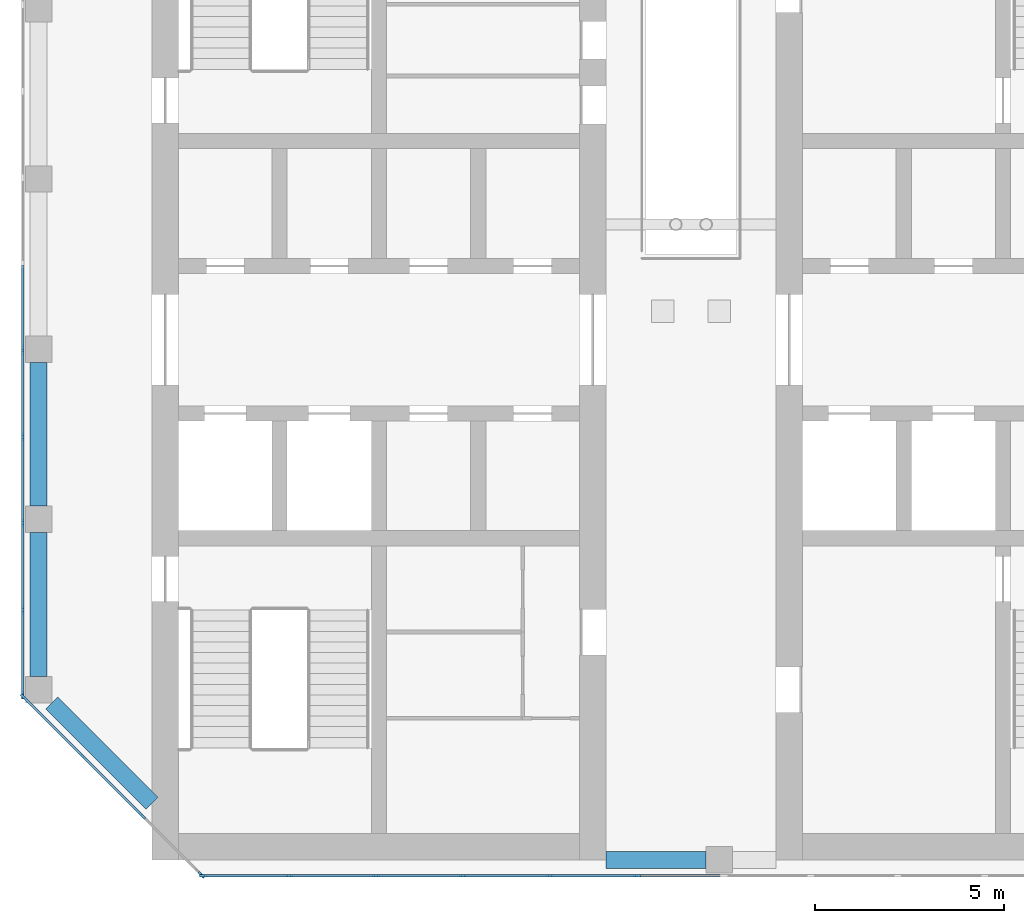
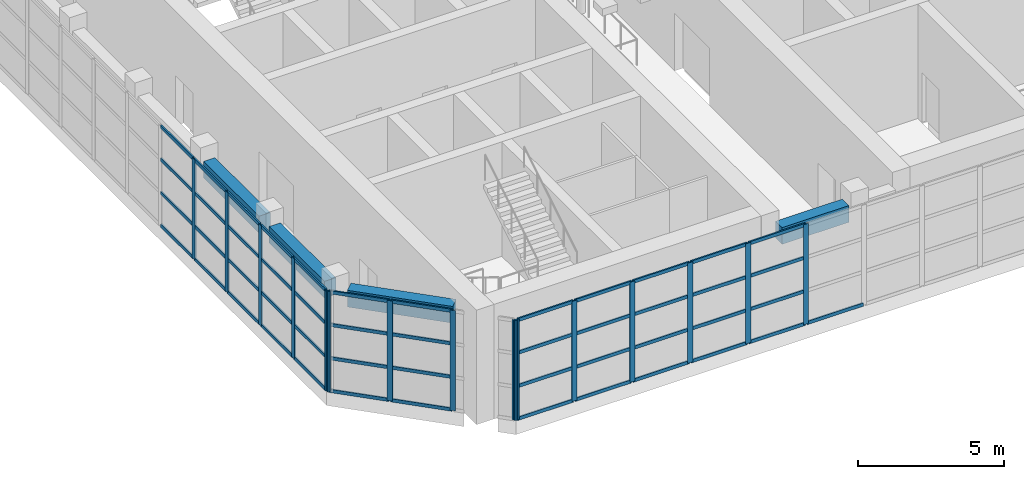
# One storey, part 2 of 13: 64 members, 4 beams, 3 elements without a shape of their own.
"""IFC4 building model written with IfcOpenShell, lengths in metres."""

from ifc_helpers import new_model, si_unit, direction, frame, origin, origin_2d, place, context, subcontext, project, spatial, rectangle, extrude, material, material_profile, profile_set, type_object, element, aggregate, save


model = new_model("IFC4")

# Units and contexts
model_context = context("Model", 3, precision=1e-05, world=origin(), true_north=direction((0.0, 1.0)))
body_context = subcontext(model_context, "Body", "Model", "MODEL_VIEW")
ifc_project = project(units=[si_unit("LENGTHUNIT", "METRE"), si_unit("AREAUNIT", "SQUARE_METRE"), si_unit("VOLUMEUNIT", "CUBIC_METRE"), si_unit("PLANEANGLEUNIT", "RADIAN"), si_unit("MASSUNIT", "GRAM", prefix="KILO")], contexts=[model_context])

# Site, building, storey
site_placement = place(None, origin())
site = spatial("IfcSite", under=ifc_project, at=site_placement, CompositionType="ELEMENT")
building_placement = place(site_placement, origin())
building = spatial("IfcBuilding", under=site, at=building_placement, Name="Corbel Stack Research Tower", CompositionType="ELEMENT")
storey_placement = place(building_placement, frame((0.0, 0.0, 316.60009765625)))
storey = spatial("IfcBuildingStorey", under=building, at=storey_placement, Name="L71", CompositionType="ELEMENT", Elevation=316.60009765625)

# Curtain wall, members
ifc_material_1 = material(Name="Aluminium and glass", Category="aluminium")
curtain_wall_type = type_object("IfcCurtainWallType", Name="CW4C damper hall glazing wall, corner", PredefinedType="NOTDEFINED", material=ifc_material_1)
curtain_wall_1_placement = place(storey_placement, origin())
curtain_wall_1 = element("IfcCurtainWall", 1, at=curtain_wall_1_placement, inside=storey, type_object=curtain_wall_type, Name="Damper hall curtain wall L71 1", PredefinedType="NOTDEFINED")
ifc_material_2 = material(Name="Aluminium, anodised", Category="aluminium")
ifc_material_profile_1 = material_profile(ifc_material_2, rectangle(XDim=0.06005859375, YDim=0.199951171875, at=origin_2d()), Name="CW4 mullion 60 x 200")
ifc_profile_set_1 = profile_set([ifc_material_profile_1], Name="Aluminium, anodised")
member_type_1 = type_object("IfcMemberType", Name="CW4 mullion 60 x 200", PredefinedType="MULLION", material=ifc_profile_set_1)
member_1_placement = place(storey_placement, frame((-9.1953125, -9.398681640625, 0.0), z_axis=(0.0, 0.0, 1.0), x_axis=(-0.707106781187, -0.707106781187, 0.0)))
member_1 = element("IfcMember", 2, at=member_1_placement, type_object=member_type_1, Name="CW4C mullion 1", PredefinedType="MULLION", context=body_context, shape_type="SweptSolid", body=[
    extrude(rectangle(XDim=0.06005859375, YDim=0.199951171875, at=origin_2d()), origin(), (0.0, 0.0, 1.0), 4.199951171875),
])
member_2_placement = place(storey_placement, frame((-10.756103515625, -7.837890625, 0.0), z_axis=(0.0, 0.0, 1.0), x_axis=(-0.707106781187, -0.707106781187, 0.0)))
member_2 = element("IfcMember", 3, at=member_2_placement, type_object=member_type_1, Name="CW4C mullion 2", PredefinedType="MULLION", context=body_context, shape_type="SweptSolid", body=[
    extrude(rectangle(XDim=0.06005859375, YDim=0.199951171875, at=origin_2d()), origin(), (0.0, 0.0, 1.0), 4.199951171875),
])
member_3_placement = place(storey_placement, frame((-12.337890625, -6.256103515625, 0.0), z_axis=(0.0, 0.0, 1.0), x_axis=(-0.707106781187, -0.707106781187, 0.0)))
member_3 = element("IfcMember", 4, at=member_3_placement, type_object=member_type_1, Name="CW4C mullion 3", PredefinedType="MULLION", context=body_context, shape_type="SweptSolid", body=[
    extrude(rectangle(XDim=0.06005859375, YDim=0.199951171875, at=origin_2d()), origin(), (0.0, 0.0, 1.0), 4.199951171875),
])
member_4_placement = place(storey_placement, frame((-13.898681640625, -4.6953125, 0.0), z_axis=(0.0, 0.0, 1.0), x_axis=(-0.707106781187, -0.707106781187, 0.0)))
member_4 = element("IfcMember", 5, at=member_4_placement, type_object=member_type_1, Name="CW4C mullion 4", PredefinedType="MULLION", context=body_context, shape_type="SweptSolid", body=[
    extrude(rectangle(XDim=0.06005859375, YDim=0.199951171875, at=origin_2d()), origin(), (0.0, 0.0, 1.0), 4.199951171875),
])

curtain_wall_2_placement = place(storey_placement, origin())
curtain_wall_2 = element("IfcCurtainWall", 6, at=curtain_wall_2_placement, inside=storey, type_object=curtain_wall_type, Name="Damper hall curtain wall L71 2", PredefinedType="NOTDEFINED")
member_5_placement = place(storey_placement, frame((-13.919921875, -4.64404296875, 0.0), z_axis=(0.0, 0.0, 1.0), x_axis=(-1.0, 0.0, 0.0)))
member_5 = element("IfcMember", 7, at=member_5_placement, type_object=member_type_1, Name="CW4C mullion 1", PredefinedType="MULLION", context=body_context, shape_type="SweptSolid", body=[
    extrude(rectangle(XDim=0.06005859375, YDim=0.199951171875, at=origin_2d()), origin(), (0.0, 0.0, 1.0), 4.199951171875),
])
member_6_placement = place(storey_placement, frame((-13.919921875, -2.38916015625, 0.0), z_axis=(0.0, 0.0, 1.0), x_axis=(-1.0, 0.0, 0.0)))
member_6 = element("IfcMember", 8, at=member_6_placement, type_object=member_type_1, Name="CW4C mullion 2", PredefinedType="MULLION", context=body_context, shape_type="SweptSolid", body=[
    extrude(rectangle(XDim=0.06005859375, YDim=0.199951171875, at=origin_2d()), origin(), (0.0, 0.0, 1.0), 4.199951171875),
])
member_7_placement = place(storey_placement, frame((-13.919921875, -0.1044921875, 0.0), z_axis=(0.0, 0.0, 1.0), x_axis=(-1.0, 0.0, 0.0)))
member_7 = element("IfcMember", 9, at=member_7_placement, type_object=member_type_1, Name="CW4C mullion 3", PredefinedType="MULLION", context=body_context, shape_type="SweptSolid", body=[
    extrude(rectangle(XDim=0.06005859375, YDim=0.199951171875, at=origin_2d()), origin(), (0.0, 0.0, 1.0), 4.199951171875),
])
member_8_placement = place(storey_placement, frame((-13.919921875, 2.180419921875, 0.0), z_axis=(0.0, 0.0, 1.0), x_axis=(-1.0, 0.0, 0.0)))
member_8 = element("IfcMember", 10, at=member_8_placement, type_object=member_type_1, Name="CW4C mullion 4", PredefinedType="MULLION", context=body_context, shape_type="SweptSolid", body=[
    extrude(rectangle(XDim=0.06005859375, YDim=0.199951171875, at=origin_2d()), origin(), (0.0, 0.0, 1.0), 4.199951171875),
])
member_9_placement = place(storey_placement, frame((-13.919921875, 4.465087890625, 0.0), z_axis=(0.0, 0.0, 1.0), x_axis=(-1.0, 0.0, 0.0)))
member_9 = element("IfcMember", 11, at=member_9_placement, type_object=member_type_1, Name="CW4C mullion 5", PredefinedType="MULLION", context=body_context, shape_type="SweptSolid", body=[
    extrude(rectangle(XDim=0.06005859375, YDim=0.199951171875, at=origin_2d()), origin(), (0.0, 0.0, 1.0), 4.199951171875),
])

curtain_wall_3_placement = place(storey_placement, origin())
curtain_wall_3 = element("IfcCurtainWall", 12, at=curtain_wall_3_placement, inside=storey, type_object=curtain_wall_type, Name="Damper hall curtain wall L71 7", PredefinedType="NOTDEFINED")
member_10_placement = place(storey_placement, frame((2.323486328125, -9.419921875, 0.0), z_axis=(0.0, 0.0, 1.0), x_axis=(0.0, -1.0, 0.0)))
member_10 = element("IfcMember", 13, at=member_10_placement, type_object=member_type_1, Name="CW4C mullion 8", PredefinedType="MULLION", context=body_context, shape_type="SweptSolid", body=[
    extrude(rectangle(XDim=0.06005859375, YDim=0.199951171875, at=origin_2d()), origin(), (0.0, 0.0, 1.0), 4.199951171875),
])
member_11_placement = place(storey_placement, frame((0.02392578125, -9.419921875, 0.0), z_axis=(0.0, 0.0, 1.0), x_axis=(0.0, -1.0, 0.0)))
member_11 = element("IfcMember", 14, at=member_11_placement, type_object=member_type_1, Name="CW4C mullion 9", PredefinedType="MULLION", context=body_context, shape_type="SweptSolid", body=[
    extrude(rectangle(XDim=0.06005859375, YDim=0.199951171875, at=origin_2d()), origin(), (0.0, 0.0, 1.0), 4.199951171875),
])
member_12_placement = place(storey_placement, frame((-2.275390625, -9.419921875, 0.0), z_axis=(0.0, 0.0, 1.0), x_axis=(0.0, -1.0, 0.0)))
member_12 = element("IfcMember", 15, at=member_12_placement, type_object=member_type_1, Name="CW4C mullion 10", PredefinedType="MULLION", context=body_context, shape_type="SweptSolid", body=[
    extrude(rectangle(XDim=0.06005859375, YDim=0.199951171875, at=origin_2d()), origin(), (0.0, 0.0, 1.0), 4.199951171875),
])
member_13_placement = place(storey_placement, frame((-4.574951171875, -9.419921875, 0.0), z_axis=(0.0, 0.0, 1.0), x_axis=(0.0, -1.0, 0.0)))
member_13 = element("IfcMember", 16, at=member_13_placement, type_object=member_type_1, Name="CW4C mullion 11", PredefinedType="MULLION", context=body_context, shape_type="SweptSolid", body=[
    extrude(rectangle(XDim=0.06005859375, YDim=0.199951171875, at=origin_2d()), origin(), (0.0, 0.0, 1.0), 4.199951171875),
])
member_14_placement = place(storey_placement, frame((-6.87451171875, -9.419921875, 0.0), z_axis=(0.0, 0.0, 1.0), x_axis=(0.0, -1.0, 0.0)))
member_14 = element("IfcMember", 17, at=member_14_placement, type_object=member_type_1, Name="CW4C mullion 12", PredefinedType="MULLION", context=body_context, shape_type="SweptSolid", body=[
    extrude(rectangle(XDim=0.06005859375, YDim=0.199951171875, at=origin_2d()), origin(), (0.0, 0.0, 1.0), 4.199951171875),
])
member_15_placement = place(storey_placement, frame((-9.14404296875, -9.419921875, 0.0), z_axis=(0.0, 0.0, 1.0), x_axis=(0.0, -1.0, 0.0)))
member_15 = element("IfcMember", 18, at=member_15_placement, type_object=member_type_1, Name="CW4C mullion 13", PredefinedType="MULLION", context=body_context, shape_type="SweptSolid", body=[
    extrude(rectangle(XDim=0.06005859375, YDim=0.199951171875, at=origin_2d()), origin(), (0.0, 0.0, 1.0), 4.199951171875),
])

# Member
ifc_material_3 = material(Name="Aluminium, anodised", Category="aluminium")
ifc_material_profile_2 = material_profile(ifc_material_3, rectangle(XDim=0.06005859375, YDim=0.139892578125, at=origin_2d()), Name="CW4 transom 60 x 140")
ifc_profile_set_2 = profile_set([ifc_material_profile_2], Name="Aluminium, anodised")
member_type_2 = type_object("IfcMemberType", Name="CW4 transom 60 x 140", PredefinedType="USERDEFINED", material=ifc_profile_set_2)
member_16_placement = place(storey_placement, frame((-10.777099609375, -7.81689453125, 0.02978515625), z_axis=(-0.707106781187, 0.707106781187, 0.0), x_axis=(-0.707106781187, -0.707106781187, 0.0)))
member_16 = element("IfcMember", 19, at=member_16_placement, type_object=member_type_2, Name="CW4C transom 2.1", ObjectType="TRANSOM", PredefinedType="USERDEFINED", context=body_context, shape_type="SweptSolid", body=[
    extrude(rectangle(XDim=0.06005859375, YDim=0.139892578125, at=origin_2d()), origin(), (0.0, 0.0, 1.0), 2.177490234375),
])

member_17_placement = place(storey_placement, frame((-10.777099609375, -7.81689453125, 1.39990234375), z_axis=(-0.707106781187, 0.707106781187, 0.0), x_axis=(-0.707106781187, -0.707106781187, 0.0)))
member_17 = element("IfcMember", 20, at=member_17_placement, type_object=member_type_2, Name="CW4C transom 2.2", ObjectType="TRANSOM", PredefinedType="USERDEFINED", context=body_context, shape_type="SweptSolid", body=[
    extrude(rectangle(XDim=0.06005859375, YDim=0.139892578125, at=origin_2d()), origin(), (0.0, 0.0, 1.0), 2.177490234375),
])

member_18_placement = place(storey_placement, frame((-10.777099609375, -7.81689453125, 2.7998046875), z_axis=(-0.707106781187, 0.707106781187, 0.0), x_axis=(-0.707106781187, -0.707106781187, 0.0)))
member_18 = element("IfcMember", 21, at=member_18_placement, type_object=member_type_2, Name="CW4C transom 2.3", ObjectType="TRANSOM", PredefinedType="USERDEFINED", context=body_context, shape_type="SweptSolid", body=[
    extrude(rectangle(XDim=0.06005859375, YDim=0.139892578125, at=origin_2d()), origin(), (0.0, 0.0, 1.0), 2.177490234375),
])

member_19_placement = place(storey_placement, frame((-10.777099609375, -7.81689453125, 4.169921875), z_axis=(-0.707106781187, 0.707106781187, 0.0), x_axis=(-0.707106781187, -0.707106781187, 0.0)))
member_19 = element("IfcMember", 22, at=member_19_placement, type_object=member_type_2, Name="CW4C transom 2.4", ObjectType="TRANSOM", PredefinedType="USERDEFINED", context=body_context, shape_type="SweptSolid", body=[
    extrude(rectangle(XDim=0.06005859375, YDim=0.139892578125, at=origin_2d()), origin(), (0.0, 0.0, 1.0), 2.177490234375),
])

member_20_placement = place(storey_placement, frame((-12.359130859375, -6.23486328125, 0.02978515625), z_axis=(-0.707106781187, 0.707106781187, 0.0), x_axis=(-0.707106781187, -0.707106781187, 0.0)))
member_20 = element("IfcMember", 23, at=member_20_placement, type_object=member_type_2, Name="CW4C transom 3.1", ObjectType="TRANSOM", PredefinedType="USERDEFINED", context=body_context, shape_type="SweptSolid", body=[
    extrude(rectangle(XDim=0.06005859375, YDim=0.139892578125, at=origin_2d()), origin(), (0.0, 0.0, 1.0), 2.1474609375),
])

member_21_placement = place(storey_placement, frame((-12.359130859375, -6.23486328125, 1.39990234375), z_axis=(-0.707106781187, 0.707106781187, 0.0), x_axis=(-0.707106781187, -0.707106781187, 0.0)))
member_21 = element("IfcMember", 24, at=member_21_placement, type_object=member_type_2, Name="CW4C transom 3.2", ObjectType="TRANSOM", PredefinedType="USERDEFINED", context=body_context, shape_type="SweptSolid", body=[
    extrude(rectangle(XDim=0.06005859375, YDim=0.139892578125, at=origin_2d()), origin(), (0.0, 0.0, 1.0), 2.1474609375),
])

member_22_placement = place(storey_placement, frame((-12.359130859375, -6.23486328125, 2.7998046875), z_axis=(-0.707106781187, 0.707106781187, 0.0), x_axis=(-0.707106781187, -0.707106781187, 0.0)))
member_22 = element("IfcMember", 25, at=member_22_placement, type_object=member_type_2, Name="CW4C transom 3.3", ObjectType="TRANSOM", PredefinedType="USERDEFINED", context=body_context, shape_type="SweptSolid", body=[
    extrude(rectangle(XDim=0.06005859375, YDim=0.139892578125, at=origin_2d()), origin(), (0.0, 0.0, 1.0), 2.1474609375),
])

member_23_placement = place(storey_placement, frame((-12.359130859375, -6.23486328125, 4.169921875), z_axis=(-0.707106781187, 0.707106781187, 0.0), x_axis=(-0.707106781187, -0.707106781187, 0.0)))
member_23 = element("IfcMember", 26, at=member_23_placement, type_object=member_type_2, Name="CW4C transom 3.4", ObjectType="TRANSOM", PredefinedType="USERDEFINED", context=body_context, shape_type="SweptSolid", body=[
    extrude(rectangle(XDim=0.06005859375, YDim=0.139892578125, at=origin_2d()), origin(), (0.0, 0.0, 1.0), 2.1474609375),
])

aggregate(curtain_wall_1, [member_1, member_2, member_3, member_4, member_16, member_17, member_18, member_19, member_20, member_21, member_22, member_23])

member_24_placement = place(storey_placement, frame((-13.919921875, -4.614013671875, 0.02978515625), z_axis=(0.0, 1.0, 0.0), x_axis=(-1.0, 0.0, 0.0)))
member_24 = element("IfcMember", 27, at=member_24_placement, type_object=member_type_2, Name="CW4C transom 1.1", ObjectType="TRANSOM", PredefinedType="USERDEFINED", context=body_context, shape_type="SweptSolid", body=[
    extrude(rectangle(XDim=0.06005859375, YDim=0.139892578125, at=origin_2d()), origin(), (0.0, 0.0, 1.0), 2.19482421875),
])

member_25_placement = place(storey_placement, frame((-13.919921875, -4.614013671875, 1.39990234375), z_axis=(0.0, 1.0, 0.0), x_axis=(-1.0, 0.0, 0.0)))
member_25 = element("IfcMember", 28, at=member_25_placement, type_object=member_type_2, Name="CW4C transom 1.2", ObjectType="TRANSOM", PredefinedType="USERDEFINED", context=body_context, shape_type="SweptSolid", body=[
    extrude(rectangle(XDim=0.06005859375, YDim=0.139892578125, at=origin_2d()), origin(), (0.0, 0.0, 1.0), 2.19482421875),
])

member_26_placement = place(storey_placement, frame((-13.919921875, -4.614013671875, 2.7998046875), z_axis=(0.0, 1.0, 0.0), x_axis=(-1.0, 0.0, 0.0)))
member_26 = element("IfcMember", 29, at=member_26_placement, type_object=member_type_2, Name="CW4C transom 1.3", ObjectType="TRANSOM", PredefinedType="USERDEFINED", context=body_context, shape_type="SweptSolid", body=[
    extrude(rectangle(XDim=0.06005859375, YDim=0.139892578125, at=origin_2d()), origin(), (0.0, 0.0, 1.0), 2.19482421875),
])

member_27_placement = place(storey_placement, frame((-13.919921875, -4.614013671875, 4.169921875), z_axis=(0.0, 1.0, 0.0), x_axis=(-1.0, 0.0, 0.0)))
member_27 = element("IfcMember", 30, at=member_27_placement, type_object=member_type_2, Name="CW4C transom 1.4", ObjectType="TRANSOM", PredefinedType="USERDEFINED", context=body_context, shape_type="SweptSolid", body=[
    extrude(rectangle(XDim=0.06005859375, YDim=0.139892578125, at=origin_2d()), origin(), (0.0, 0.0, 1.0), 2.19482421875),
])

member_28_placement = place(storey_placement, frame((-13.919921875, -2.359130859375, 0.02978515625), z_axis=(0.0, 1.0, 0.0), x_axis=(-1.0, 0.0, 0.0)))
member_28 = element("IfcMember", 31, at=member_28_placement, type_object=member_type_2, Name="CW4C transom 2.1", ObjectType="TRANSOM", PredefinedType="USERDEFINED", context=body_context, shape_type="SweptSolid", body=[
    extrude(rectangle(XDim=0.06005859375, YDim=0.139892578125, at=origin_2d()), origin(), (0.0, 0.0, 1.0), 2.224609375),
])

member_29_placement = place(storey_placement, frame((-13.919921875, -2.359130859375, 1.39990234375), z_axis=(0.0, 1.0, 0.0), x_axis=(-1.0, 0.0, 0.0)))
member_29 = element("IfcMember", 32, at=member_29_placement, type_object=member_type_2, Name="CW4C transom 2.2", ObjectType="TRANSOM", PredefinedType="USERDEFINED", context=body_context, shape_type="SweptSolid", body=[
    extrude(rectangle(XDim=0.06005859375, YDim=0.139892578125, at=origin_2d()), origin(), (0.0, 0.0, 1.0), 2.224609375),
])

member_30_placement = place(storey_placement, frame((-13.919921875, -2.359130859375, 2.7998046875), z_axis=(0.0, 1.0, 0.0), x_axis=(-1.0, 0.0, 0.0)))
member_30 = element("IfcMember", 33, at=member_30_placement, type_object=member_type_2, Name="CW4C transom 2.3", ObjectType="TRANSOM", PredefinedType="USERDEFINED", context=body_context, shape_type="SweptSolid", body=[
    extrude(rectangle(XDim=0.06005859375, YDim=0.139892578125, at=origin_2d()), origin(), (0.0, 0.0, 1.0), 2.224609375),
])

member_31_placement = place(storey_placement, frame((-13.919921875, -2.359130859375, 4.169921875), z_axis=(0.0, 1.0, 0.0), x_axis=(-1.0, 0.0, 0.0)))
member_31 = element("IfcMember", 34, at=member_31_placement, type_object=member_type_2, Name="CW4C transom 2.4", ObjectType="TRANSOM", PredefinedType="USERDEFINED", context=body_context, shape_type="SweptSolid", body=[
    extrude(rectangle(XDim=0.06005859375, YDim=0.139892578125, at=origin_2d()), origin(), (0.0, 0.0, 1.0), 2.224609375),
])

member_32_placement = place(storey_placement, frame((-13.919921875, -0.074462890625, 0.02978515625), z_axis=(0.0, 1.0, 0.0), x_axis=(-1.0, 0.0, 0.0)))
member_32 = element("IfcMember", 35, at=member_32_placement, type_object=member_type_2, Name="CW4C transom 3.1", ObjectType="TRANSOM", PredefinedType="USERDEFINED", context=body_context, shape_type="SweptSolid", body=[
    extrude(rectangle(XDim=0.06005859375, YDim=0.139892578125, at=origin_2d()), origin(), (0.0, 0.0, 1.0), 2.224853515625),
])

member_33_placement = place(storey_placement, frame((-13.919921875, -0.074462890625, 1.39990234375), z_axis=(0.0, 1.0, 0.0), x_axis=(-1.0, 0.0, 0.0)))
member_33 = element("IfcMember", 36, at=member_33_placement, type_object=member_type_2, Name="CW4C transom 3.2", ObjectType="TRANSOM", PredefinedType="USERDEFINED", context=body_context, shape_type="SweptSolid", body=[
    extrude(rectangle(XDim=0.06005859375, YDim=0.139892578125, at=origin_2d()), origin(), (0.0, 0.0, 1.0), 2.224853515625),
])

member_34_placement = place(storey_placement, frame((-13.919921875, -0.074462890625, 2.7998046875), z_axis=(0.0, 1.0, 0.0), x_axis=(-1.0, 0.0, 0.0)))
member_34 = element("IfcMember", 37, at=member_34_placement, type_object=member_type_2, Name="CW4C transom 3.3", ObjectType="TRANSOM", PredefinedType="USERDEFINED", context=body_context, shape_type="SweptSolid", body=[
    extrude(rectangle(XDim=0.06005859375, YDim=0.139892578125, at=origin_2d()), origin(), (0.0, 0.0, 1.0), 2.224853515625),
])

member_35_placement = place(storey_placement, frame((-13.919921875, -0.074462890625, 4.169921875), z_axis=(0.0, 1.0, 0.0), x_axis=(-1.0, 0.0, 0.0)))
member_35 = element("IfcMember", 38, at=member_35_placement, type_object=member_type_2, Name="CW4C transom 3.4", ObjectType="TRANSOM", PredefinedType="USERDEFINED", context=body_context, shape_type="SweptSolid", body=[
    extrude(rectangle(XDim=0.06005859375, YDim=0.139892578125, at=origin_2d()), origin(), (0.0, 0.0, 1.0), 2.224853515625),
])

member_36_placement = place(storey_placement, frame((-13.919921875, 2.21044921875, 0.02978515625), z_axis=(0.0, 1.0, 0.0), x_axis=(-1.0, 0.0, 0.0)))
member_36 = element("IfcMember", 39, at=member_36_placement, type_object=member_type_2, Name="CW4C transom 4.1", ObjectType="TRANSOM", PredefinedType="USERDEFINED", context=body_context, shape_type="SweptSolid", body=[
    extrude(rectangle(XDim=0.06005859375, YDim=0.139892578125, at=origin_2d()), origin(), (0.0, 0.0, 1.0), 2.224853515625),
])

member_37_placement = place(storey_placement, frame((-13.919921875, 2.21044921875, 1.39990234375), z_axis=(0.0, 1.0, 0.0), x_axis=(-1.0, 0.0, 0.0)))
member_37 = element("IfcMember", 40, at=member_37_placement, type_object=member_type_2, Name="CW4C transom 4.2", ObjectType="TRANSOM", PredefinedType="USERDEFINED", context=body_context, shape_type="SweptSolid", body=[
    extrude(rectangle(XDim=0.06005859375, YDim=0.139892578125, at=origin_2d()), origin(), (0.0, 0.0, 1.0), 2.224853515625),
])

member_38_placement = place(storey_placement, frame((-13.919921875, 2.21044921875, 2.7998046875), z_axis=(0.0, 1.0, 0.0), x_axis=(-1.0, 0.0, 0.0)))
member_38 = element("IfcMember", 41, at=member_38_placement, type_object=member_type_2, Name="CW4C transom 4.3", ObjectType="TRANSOM", PredefinedType="USERDEFINED", context=body_context, shape_type="SweptSolid", body=[
    extrude(rectangle(XDim=0.06005859375, YDim=0.139892578125, at=origin_2d()), origin(), (0.0, 0.0, 1.0), 2.224853515625),
])

member_39_placement = place(storey_placement, frame((-13.919921875, 2.21044921875, 4.169921875), z_axis=(0.0, 1.0, 0.0), x_axis=(-1.0, 0.0, 0.0)))
member_39 = element("IfcMember", 42, at=member_39_placement, type_object=member_type_2, Name="CW4C transom 4.4", ObjectType="TRANSOM", PredefinedType="USERDEFINED", context=body_context, shape_type="SweptSolid", body=[
    extrude(rectangle(XDim=0.06005859375, YDim=0.139892578125, at=origin_2d()), origin(), (0.0, 0.0, 1.0), 2.224853515625),
])

member_40_placement = place(storey_placement, frame((-13.919921875, 4.4951171875, 0.02978515625), z_axis=(0.0, 1.0, 0.0), x_axis=(-1.0, 0.0, 0.0)))
member_40 = element("IfcMember", 43, at=member_40_placement, type_object=member_type_2, Name="CW4C transom 5.1", ObjectType="TRANSOM", PredefinedType="USERDEFINED", context=body_context, shape_type="SweptSolid", body=[
    extrude(rectangle(XDim=0.06005859375, YDim=0.139892578125, at=origin_2d()), origin(), (0.0, 0.0, 1.0), 2.224853515625),
])

member_41_placement = place(storey_placement, frame((-13.919921875, 4.4951171875, 1.39990234375), z_axis=(0.0, 1.0, 0.0), x_axis=(-1.0, 0.0, 0.0)))
member_41 = element("IfcMember", 44, at=member_41_placement, type_object=member_type_2, Name="CW4C transom 5.2", ObjectType="TRANSOM", PredefinedType="USERDEFINED", context=body_context, shape_type="SweptSolid", body=[
    extrude(rectangle(XDim=0.06005859375, YDim=0.139892578125, at=origin_2d()), origin(), (0.0, 0.0, 1.0), 2.224853515625),
])

member_42_placement = place(storey_placement, frame((-13.919921875, 4.4951171875, 2.7998046875), z_axis=(0.0, 1.0, 0.0), x_axis=(-1.0, 0.0, 0.0)))
member_42 = element("IfcMember", 45, at=member_42_placement, type_object=member_type_2, Name="CW4C transom 5.3", ObjectType="TRANSOM", PredefinedType="USERDEFINED", context=body_context, shape_type="SweptSolid", body=[
    extrude(rectangle(XDim=0.06005859375, YDim=0.139892578125, at=origin_2d()), origin(), (0.0, 0.0, 1.0), 2.224853515625),
])

member_43_placement = place(storey_placement, frame((-13.919921875, 4.4951171875, 4.169921875), z_axis=(0.0, 1.0, 0.0), x_axis=(-1.0, 0.0, 0.0)))
member_43 = element("IfcMember", 46, at=member_43_placement, type_object=member_type_2, Name="CW4C transom 5.4", ObjectType="TRANSOM", PredefinedType="USERDEFINED", context=body_context, shape_type="SweptSolid", body=[
    extrude(rectangle(XDim=0.06005859375, YDim=0.139892578125, at=origin_2d()), origin(), (0.0, 0.0, 1.0), 2.224853515625),
])

aggregate(curtain_wall_2, [member_5, member_6, member_7, member_8, member_9, member_24, member_25, member_26, member_27, member_28, member_29, member_30, member_31, member_32, member_33, member_34, member_35, member_36, member_37, member_38, member_39, member_40, member_41, member_42, member_43])

member_44_placement = place(storey_placement, frame((4.593017578125, -9.419921875, 0.02978515625), z_axis=(-1.0, 0.0, 0.0), x_axis=(0.0, -1.0, 0.0)))
member_44 = element("IfcMember", 47, at=member_44_placement, type_object=member_type_2, Name="CW4C transom 7.1", ObjectType="TRANSOM", PredefinedType="USERDEFINED", context=body_context, shape_type="SweptSolid", body=[
    extrude(rectangle(XDim=0.06005859375, YDim=0.139892578125, at=origin_2d()), origin(), (0.0, 0.0, 1.0), 2.239501953125),
])

member_45_placement = place(storey_placement, frame((2.29345703125, -9.419921875, 0.02978515625), z_axis=(-1.0, 0.0, 0.0), x_axis=(0.0, -1.0, 0.0)))
member_45 = element("IfcMember", 48, at=member_45_placement, type_object=member_type_2, Name="CW4C transom 8.1", ObjectType="TRANSOM", PredefinedType="USERDEFINED", context=body_context, shape_type="SweptSolid", body=[
    extrude(rectangle(XDim=0.06005859375, YDim=0.139892578125, at=origin_2d()), origin(), (0.0, 0.0, 1.0), 2.239501953125),
])

member_46_placement = place(storey_placement, frame((2.29345703125, -9.419921875, 1.39990234375), z_axis=(-1.0, 0.0, 0.0), x_axis=(0.0, -1.0, 0.0)))
member_46 = element("IfcMember", 49, at=member_46_placement, type_object=member_type_2, Name="CW4C transom 8.2", ObjectType="TRANSOM", PredefinedType="USERDEFINED", context=body_context, shape_type="SweptSolid", body=[
    extrude(rectangle(XDim=0.06005859375, YDim=0.139892578125, at=origin_2d()), origin(), (0.0, 0.0, 1.0), 2.239501953125),
])

member_47_placement = place(storey_placement, frame((2.29345703125, -9.419921875, 2.7998046875), z_axis=(-1.0, 0.0, 0.0), x_axis=(0.0, -1.0, 0.0)))
member_47 = element("IfcMember", 50, at=member_47_placement, type_object=member_type_2, Name="CW4C transom 8.3", ObjectType="TRANSOM", PredefinedType="USERDEFINED", context=body_context, shape_type="SweptSolid", body=[
    extrude(rectangle(XDim=0.06005859375, YDim=0.139892578125, at=origin_2d()), origin(), (0.0, 0.0, 1.0), 2.239501953125),
])

member_48_placement = place(storey_placement, frame((2.29345703125, -9.419921875, 4.169921875), z_axis=(-1.0, 0.0, 0.0), x_axis=(0.0, -1.0, 0.0)))
member_48 = element("IfcMember", 51, at=member_48_placement, type_object=member_type_2, Name="CW4C transom 8.4", ObjectType="TRANSOM", PredefinedType="USERDEFINED", context=body_context, shape_type="SweptSolid", body=[
    extrude(rectangle(XDim=0.06005859375, YDim=0.139892578125, at=origin_2d()), origin(), (0.0, 0.0, 1.0), 2.239501953125),
])

member_49_placement = place(storey_placement, frame((-0.006103515625, -9.419921875, 0.02978515625), z_axis=(-1.0, 0.0, 0.0), x_axis=(0.0, -1.0, 0.0)))
member_49 = element("IfcMember", 52, at=member_49_placement, type_object=member_type_2, Name="CW4C transom 9.1", ObjectType="TRANSOM", PredefinedType="USERDEFINED", context=body_context, shape_type="SweptSolid", body=[
    extrude(rectangle(XDim=0.06005859375, YDim=0.139892578125, at=origin_2d()), origin(), (0.0, 0.0, 1.0), 2.239501953125),
])

member_50_placement = place(storey_placement, frame((-0.006103515625, -9.419921875, 1.39990234375), z_axis=(-1.0, 0.0, 0.0), x_axis=(0.0, -1.0, 0.0)))
member_50 = element("IfcMember", 53, at=member_50_placement, type_object=member_type_2, Name="CW4C transom 9.2", ObjectType="TRANSOM", PredefinedType="USERDEFINED", context=body_context, shape_type="SweptSolid", body=[
    extrude(rectangle(XDim=0.06005859375, YDim=0.139892578125, at=origin_2d()), origin(), (0.0, 0.0, 1.0), 2.239501953125),
])

member_51_placement = place(storey_placement, frame((-0.006103515625, -9.419921875, 2.7998046875), z_axis=(-1.0, 0.0, 0.0), x_axis=(0.0, -1.0, 0.0)))
member_51 = element("IfcMember", 54, at=member_51_placement, type_object=member_type_2, Name="CW4C transom 9.3", ObjectType="TRANSOM", PredefinedType="USERDEFINED", context=body_context, shape_type="SweptSolid", body=[
    extrude(rectangle(XDim=0.06005859375, YDim=0.139892578125, at=origin_2d()), origin(), (0.0, 0.0, 1.0), 2.239501953125),
])

member_52_placement = place(storey_placement, frame((-0.006103515625, -9.419921875, 4.169921875), z_axis=(-1.0, 0.0, 0.0), x_axis=(0.0, -1.0, 0.0)))
member_52 = element("IfcMember", 55, at=member_52_placement, type_object=member_type_2, Name="CW4C transom 9.4", ObjectType="TRANSOM", PredefinedType="USERDEFINED", context=body_context, shape_type="SweptSolid", body=[
    extrude(rectangle(XDim=0.06005859375, YDim=0.139892578125, at=origin_2d()), origin(), (0.0, 0.0, 1.0), 2.239501953125),
])

member_53_placement = place(storey_placement, frame((-2.305419921875, -9.419921875, 0.02978515625), z_axis=(-1.0, 0.0, 0.0), x_axis=(0.0, -1.0, 0.0)))
member_53 = element("IfcMember", 56, at=member_53_placement, type_object=member_type_2, Name="CW4C transom 10.1", ObjectType="TRANSOM", PredefinedType="USERDEFINED", context=body_context, shape_type="SweptSolid", body=[
    extrude(rectangle(XDim=0.06005859375, YDim=0.139892578125, at=origin_2d()), origin(), (0.0, 0.0, 1.0), 2.239501953125),
])

member_54_placement = place(storey_placement, frame((-2.305419921875, -9.419921875, 1.39990234375), z_axis=(-1.0, 0.0, 0.0), x_axis=(0.0, -1.0, 0.0)))
member_54 = element("IfcMember", 57, at=member_54_placement, type_object=member_type_2, Name="CW4C transom 10.2", ObjectType="TRANSOM", PredefinedType="USERDEFINED", context=body_context, shape_type="SweptSolid", body=[
    extrude(rectangle(XDim=0.06005859375, YDim=0.139892578125, at=origin_2d()), origin(), (0.0, 0.0, 1.0), 2.239501953125),
])

member_55_placement = place(storey_placement, frame((-2.305419921875, -9.419921875, 2.7998046875), z_axis=(-1.0, 0.0, 0.0), x_axis=(0.0, -1.0, 0.0)))
member_55 = element("IfcMember", 58, at=member_55_placement, type_object=member_type_2, Name="CW4C transom 10.3", ObjectType="TRANSOM", PredefinedType="USERDEFINED", context=body_context, shape_type="SweptSolid", body=[
    extrude(rectangle(XDim=0.06005859375, YDim=0.139892578125, at=origin_2d()), origin(), (0.0, 0.0, 1.0), 2.239501953125),
])

member_56_placement = place(storey_placement, frame((-2.305419921875, -9.419921875, 4.169921875), z_axis=(-1.0, 0.0, 0.0), x_axis=(0.0, -1.0, 0.0)))
member_56 = element("IfcMember", 59, at=member_56_placement, type_object=member_type_2, Name="CW4C transom 10.4", ObjectType="TRANSOM", PredefinedType="USERDEFINED", context=body_context, shape_type="SweptSolid", body=[
    extrude(rectangle(XDim=0.06005859375, YDim=0.139892578125, at=origin_2d()), origin(), (0.0, 0.0, 1.0), 2.239501953125),
])

member_57_placement = place(storey_placement, frame((-4.60498046875, -9.419921875, 0.02978515625), z_axis=(-1.0, 0.0, 0.0), x_axis=(0.0, -1.0, 0.0)))
member_57 = element("IfcMember", 60, at=member_57_placement, type_object=member_type_2, Name="CW4C transom 11.1", ObjectType="TRANSOM", PredefinedType="USERDEFINED", context=body_context, shape_type="SweptSolid", body=[
    extrude(rectangle(XDim=0.06005859375, YDim=0.139892578125, at=origin_2d()), origin(), (0.0, 0.0, 1.0), 2.239501953125),
])

member_58_placement = place(storey_placement, frame((-4.60498046875, -9.419921875, 1.39990234375), z_axis=(-1.0, 0.0, 0.0), x_axis=(0.0, -1.0, 0.0)))
member_58 = element("IfcMember", 61, at=member_58_placement, type_object=member_type_2, Name="CW4C transom 11.2", ObjectType="TRANSOM", PredefinedType="USERDEFINED", context=body_context, shape_type="SweptSolid", body=[
    extrude(rectangle(XDim=0.06005859375, YDim=0.139892578125, at=origin_2d()), origin(), (0.0, 0.0, 1.0), 2.239501953125),
])

member_59_placement = place(storey_placement, frame((-4.60498046875, -9.419921875, 2.7998046875), z_axis=(-1.0, 0.0, 0.0), x_axis=(0.0, -1.0, 0.0)))
member_59 = element("IfcMember", 62, at=member_59_placement, type_object=member_type_2, Name="CW4C transom 11.3", ObjectType="TRANSOM", PredefinedType="USERDEFINED", context=body_context, shape_type="SweptSolid", body=[
    extrude(rectangle(XDim=0.06005859375, YDim=0.139892578125, at=origin_2d()), origin(), (0.0, 0.0, 1.0), 2.239501953125),
])

member_60_placement = place(storey_placement, frame((-4.60498046875, -9.419921875, 4.169921875), z_axis=(-1.0, 0.0, 0.0), x_axis=(0.0, -1.0, 0.0)))
member_60 = element("IfcMember", 63, at=member_60_placement, type_object=member_type_2, Name="CW4C transom 11.4", ObjectType="TRANSOM", PredefinedType="USERDEFINED", context=body_context, shape_type="SweptSolid", body=[
    extrude(rectangle(XDim=0.06005859375, YDim=0.139892578125, at=origin_2d()), origin(), (0.0, 0.0, 1.0), 2.239501953125),
])

member_61_placement = place(storey_placement, frame((-6.904541015625, -9.419921875, 0.02978515625), z_axis=(-1.0, 0.0, 0.0), x_axis=(0.0, -1.0, 0.0)))
member_61 = element("IfcMember", 64, at=member_61_placement, type_object=member_type_2, Name="CW4C transom 12.1", ObjectType="TRANSOM", PredefinedType="USERDEFINED", context=body_context, shape_type="SweptSolid", body=[
    extrude(rectangle(XDim=0.06005859375, YDim=0.139892578125, at=origin_2d()), origin(), (0.0, 0.0, 1.0), 2.20947265625),
])

member_62_placement = place(storey_placement, frame((-6.904541015625, -9.419921875, 1.39990234375), z_axis=(-1.0, 0.0, 0.0), x_axis=(0.0, -1.0, 0.0)))
member_62 = element("IfcMember", 65, at=member_62_placement, type_object=member_type_2, Name="CW4C transom 12.2", ObjectType="TRANSOM", PredefinedType="USERDEFINED", context=body_context, shape_type="SweptSolid", body=[
    extrude(rectangle(XDim=0.06005859375, YDim=0.139892578125, at=origin_2d()), origin(), (0.0, 0.0, 1.0), 2.20947265625),
])

member_63_placement = place(storey_placement, frame((-6.904541015625, -9.419921875, 2.7998046875), z_axis=(-1.0, 0.0, 0.0), x_axis=(0.0, -1.0, 0.0)))
member_63 = element("IfcMember", 66, at=member_63_placement, type_object=member_type_2, Name="CW4C transom 12.3", ObjectType="TRANSOM", PredefinedType="USERDEFINED", context=body_context, shape_type="SweptSolid", body=[
    extrude(rectangle(XDim=0.06005859375, YDim=0.139892578125, at=origin_2d()), origin(), (0.0, 0.0, 1.0), 2.20947265625),
])

member_64_placement = place(storey_placement, frame((-6.904541015625, -9.419921875, 4.169921875), z_axis=(-1.0, 0.0, 0.0), x_axis=(0.0, -1.0, 0.0)))
member_64 = element("IfcMember", 67, at=member_64_placement, type_object=member_type_2, Name="CW4C transom 12.4", ObjectType="TRANSOM", PredefinedType="USERDEFINED", context=body_context, shape_type="SweptSolid", body=[
    extrude(rectangle(XDim=0.06005859375, YDim=0.139892578125, at=origin_2d()), origin(), (0.0, 0.0, 1.0), 2.20947265625),
])

aggregate(curtain_wall_3, [member_10, member_11, member_12, member_13, member_14, member_15, member_44, member_45, member_46, member_47, member_48, member_49, member_50, member_51, member_52, member_53, member_54, member_55, member_56, member_57, member_58, member_59, member_60, member_61, member_62, member_63, member_64])

# Beams
ifc_material_4 = material(Name="Concrete C60/75", Category="concrete")
ifc_material_profile_3 = material_profile(ifc_material_4, rectangle(XDim=0.449951171875, YDim=0.699951171875, at=origin_2d()), Name="RC 450 x 700")
ifc_profile_set_3 = profile_set([ifc_material_profile_3], Name="Concrete C60/75")
beam_type = type_object("IfcBeamType", Name="SB-450-700", PredefinedType="SPANDREL", material=ifc_profile_set_3)
beam_1_placement = place(storey_placement, frame((1.5, -9.0, 3.849853515625), z_axis=(1.0, 0.0, 0.0), x_axis=(0.0, 1.0, 0.0)))
element("IfcBeam", 68, at=beam_1_placement, inside=storey, type_object=beam_type, Name="Spandrel beam L71-01", PredefinedType="SPANDREL", context=body_context, shape_type="SweptSolid", body=[
    extrude(rectangle(XDim=0.449951171875, YDim=0.699951171875, at=origin_2d()), origin(), (0.0, 0.0, 1.0), 2.64990234375),
])
for number, where, z_axis, x_axis, name in (
    (69, (-13.5, 4.14990234375, 3.849853515625), (0.0, -1.0, 0.0), (1.0, 0.0, 0.0), "Spandrel beam L71-13"),
    (70, (-13.5, -0.35009765625, 3.849853515625), (0.0, -1.0, 0.0), (1.0, 0.0, 0.0), "Spandrel beam L71-14"),
):
    element("IfcBeam", number, at=place(storey_placement, frame(where, z_axis=z_axis, x_axis=x_axis)), inside=storey, type_object=beam_type, Name=name, PredefinedType="SPANDREL", context=body_context, shape_type="SweptSolid", body=[
        extrude(rectangle(XDim=0.449951171875, YDim=0.699951171875, at=origin_2d()), origin(), (0.0, 0.0, 1.0), 3.7998046875),
    ])
beam_2_placement = place(storey_placement, frame((-13.14990234375, -4.85009765625, 3.849853515625), z_axis=(0.707106781187, -0.707106781187, 0.0), x_axis=(0.707106781187, 0.707106781187, 0.0)))
element("IfcBeam", 71, at=beam_2_placement, inside=storey, type_object=beam_type, Name="Spandrel beam L71-15", PredefinedType="SPANDREL", context=body_context, shape_type="SweptSolid", body=[
    extrude(rectangle(XDim=0.449951171875, YDim=0.699951171875, at=origin_2d()), origin(), (0.0, 0.0, 1.0), 3.74755859375),
])

save(model, "model.ifc")
